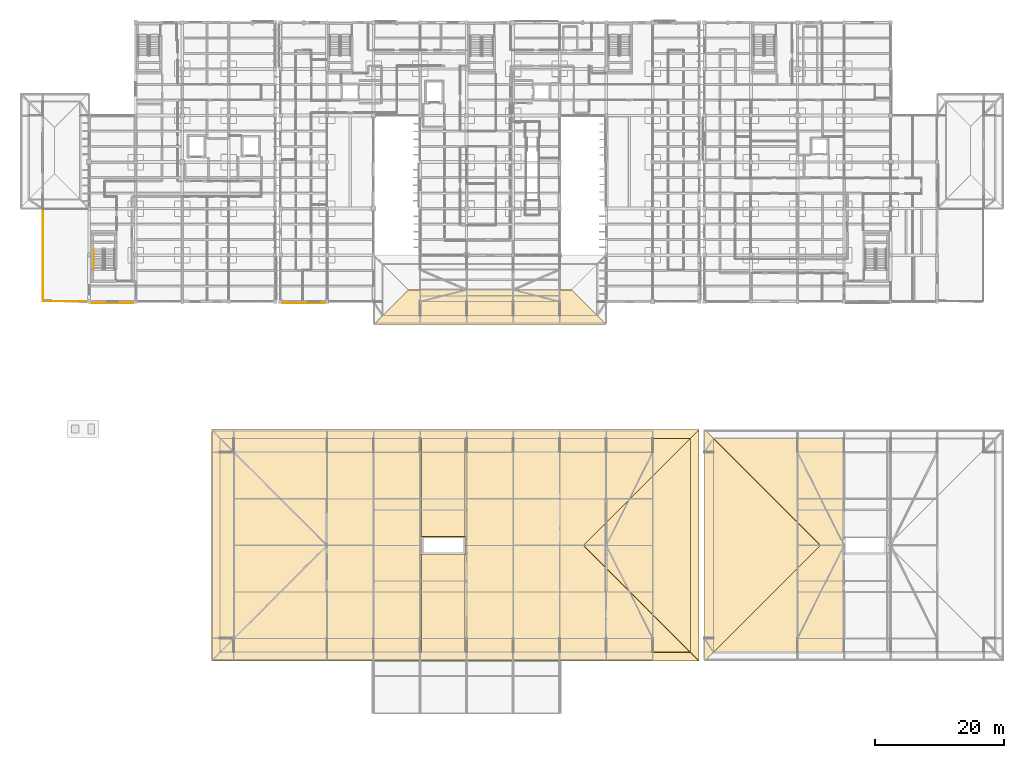
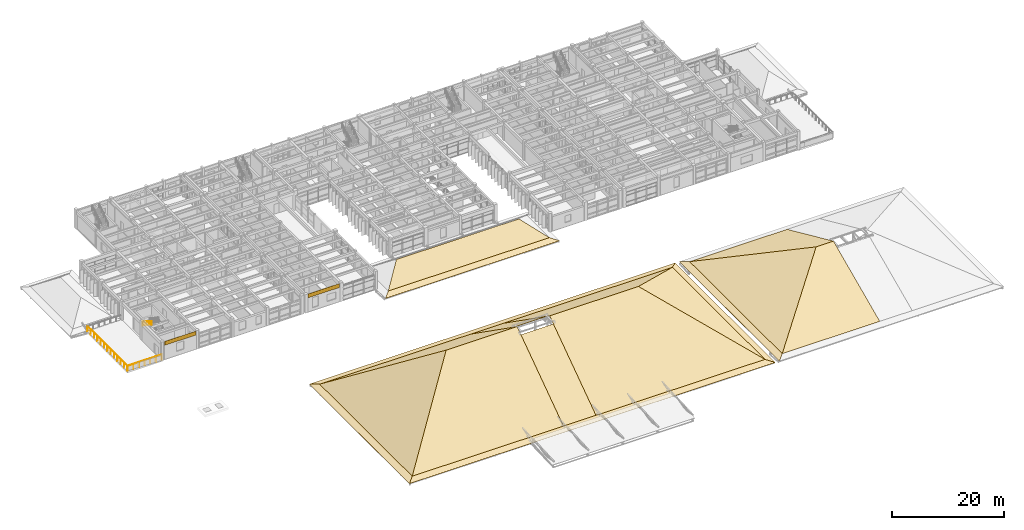
# One storey, part 91 of 100: 20 coverings, 3 railings.
"""IFC4 building model written with IfcOpenShell, lengths in metres."""

from ifc_helpers import new_model, si_unit, direction, frame, origin, origin_2d, place, context, subcontext, project, spatial, polyline, rectangle, circle, outline, extrude, material, layer, layer_set, type_object, element, save


model = new_model("IFC4")

# Units and contexts
model_context = context("Model", 3, precision=1e-05, world=origin(), true_north=direction((0.0, 1.0)))
body_context = subcontext(model_context, "Body", "Model", "MODEL_VIEW")
ifc_project = project(units=[si_unit("LENGTHUNIT", "METRE"), si_unit("AREAUNIT", "SQUARE_METRE"), si_unit("VOLUMEUNIT", "CUBIC_METRE"), si_unit("PLANEANGLEUNIT", "RADIAN"), si_unit("MASSUNIT", "GRAM", prefix="KILO")], contexts=[model_context])

# Site, building, storey
site_placement = place(None, origin())
site = spatial("IfcSite", under=ifc_project, at=site_placement, CompositionType="ELEMENT")
building_placement = place(site_placement, origin())
building = spatial("IfcBuilding", under=site, at=building_placement, Name="Steenspoor Specialist Clinic", CompositionType="ELEMENT")
storey_placement = place(building_placement, frame((0.0, 0.0, 9.0)))
storey = spatial("IfcBuildingStorey", under=building, at=storey_placement, Name="L02", CompositionType="ELEMENT", Elevation=9.0)

# Coverings
ifc_material_1 = material(Name="Glazed ceramic relief spandrel cladding", Category="masonry")
ifc_layer_1 = layer(ifc_material_1, 0.034912109375)
ifc_layer_set_1 = layer_set([ifc_layer_1], Name="Glazed ceramic relief spandrel cladding")
covering_type_1 = type_object("IfcCoveringType", Name="COV-CLAD-CERAMIC", PredefinedType="CLADDING", material=ifc_layer_set_1)
covering_1_placement = place(storey_placement, frame((56.0, 64.93505859375, 3.11474609375), z_axis=(0.0, 0.0, 1.0), x_axis=(-1.0, 0.0, 0.0)))
element("IfcCovering", 1, at=covering_1_placement, inside=storey, type_object=covering_type_1, Name="Spandrel Cladding 47", PredefinedType="CLADDING", context=body_context, shape_type="SweptSolid", body=[
    extrude(rectangle(XDim=6.47998046875, YDim=0.0400390625, at=origin_2d()), origin(), (0.0, 0.0, 1.0), 0.840087890625),
])
covering_2_placement = place(storey_placement, frame((26.41259765625, 64.93505859375, 3.11474609375), z_axis=(0.0, 0.0, 1.0), x_axis=(-1.0, 0.0, 0.0)))
element("IfcCovering", 2, at=covering_2_placement, inside=storey, type_object=covering_type_1, Name="Spandrel Cladding 73", PredefinedType="CLADDING", context=body_context, shape_type="SweptSolid", body=[
    extrude(rectangle(XDim=6.455078125, YDim=0.0400390625, at=origin_2d()), origin(), (0.0, 0.0, 1.0), 0.840087890625),
])
ifc_material_2 = material(Name="Extruded terracotta clay roof tile", Category="masonry")
ifc_layer_2 = layer(ifc_material_2, 0.044921875)
ifc_layer_set_2 = layer_set([ifc_layer_2], Name="Extruded terracotta clay roof tile")
covering_type_2 = type_object("IfcCoveringType", Name="COV-ROOF-TILE", PredefinedType="ROOFING", material=ifc_layer_set_2)
covering_3_placement = place(storey_placement, frame((41.699951171875, 9.550048828125, 0.048095703125), z_axis=(0.0, -0.241833577284, 0.970317742236), x_axis=(1.0, 0.0, 0.0)))
element("IfcCovering", 3, at=covering_3_placement, inside=storey, type_object=covering_type_2, Name="Clay Tile Roofing V1 SKS", PredefinedType="ROOFING", context=body_context, shape_type="SweptSolid", body=[
    extrude(outline(polyline([(0.0, 0.0), (75.469970703125, 0.0), (74.1201171875, 1.3911458658008673), (1.35009765625, 1.3911458658008673), (0.0, 0.0)])), origin(), (0.0, 0.0, -1.0), 0.044921875),
])
covering_4_placement = place(storey_placement, frame((117.169921875, 45.35009765625, 0.048095703125), z_axis=(0.0, 0.241792402976, 0.970328003235), x_axis=(-1.0, 0.0, 0.0)))
element("IfcCovering", 4, at=covering_4_placement, inside=storey, type_object=covering_type_2, Name="Clay Tile Roofing V1 SKN", PredefinedType="ROOFING", context=body_context, shape_type="SweptSolid", body=[
    extrude(outline(polyline([(0.0, 0.0), (75.469970703125, 0.0), (74.119873046875, 1.3913827610335756), (1.349853515625, 1.3913827610335756), (0.0, 0.0)])), origin(), (0.0, 0.0, -1.0), 0.044921875),
])
covering_5_placement = place(storey_placement, frame((41.699951171875, 45.35009765625, 0.048095703125), z_axis=(-0.241792402976, 0.0, 0.970328003235), x_axis=(0.0, -1.0, 0.0)))
element("IfcCovering", 5, at=covering_5_placement, inside=storey, type_object=covering_type_2, Name="Clay Tile Roofing V1 SKW", PredefinedType="ROOFING", context=body_context, shape_type="SweptSolid", body=[
    extrude(outline(polyline([(0.0, 0.0), (35.800048828125, 0.0), (34.4501953125, 1.3913827610335754), (1.35009765625, 1.3913827610335754), (0.0, 0.0)])), origin(), (0.0, 0.0, -1.0), 0.044921875),
])
covering_6_placement = place(storey_placement, frame((117.169921875, 9.550048828125, 0.048095703125), z_axis=(0.241833577284, 0.0, 0.970317742236), x_axis=(0.0, 1.0, 0.0)))
element("IfcCovering", 6, at=covering_6_placement, inside=storey, type_object=covering_type_2, Name="Clay Tile Roofing V1 SKE", PredefinedType="ROOFING", context=body_context, shape_type="SweptSolid", body=[
    extrude(outline(polyline([(0.0, 0.0), (35.800048828125, 0.0), (34.449951171875, 1.3911458658008673), (1.349853515625, 1.3911458658008673), (0.0, 0.0)])), origin(), (0.0, 0.0, -1.0), 0.044921875),
])
covering_7_placement = place(storey_placement, frame((74.25, 10.89990234375, 0.384521484375), z_axis=(0.0, -0.576062861672, 0.817405394772), x_axis=(0.0, 0.817405394772, 0.576062861672)))
element("IfcCovering", 7, at=covering_7_placement, inside=storey, type_object=covering_type_2, Name="Clay Tile Roofing V1 S1", PredefinedType="ROOFING", context=body_context, shape_type="SweptSolid", body=[
    extrude(outline(polyline([(0.0, 0.0), (20.247051137625235, 0.0), (20.247051137625235, 14.64990234375), (0.0, 31.199951171875), (0.0, 0.0)])), origin(), (0.0, 0.0, -1.0), 0.044921875),
])
covering_8_placement = place(storey_placement, frame((80.949951171875, 27.449951171875, 12.048095703125), z_axis=(0.0, -0.576062861672, 0.817405394772), x_axis=(0.0, -0.817405394772, -0.576062861672)))
element("IfcCovering", 8, at=covering_8_placement, inside=storey, type_object=covering_type_2, Name="Clay Tile Roofing V1 S2", PredefinedType="ROOFING", context=body_context, shape_type="SweptSolid", body=[
    extrude(outline(polyline([(0.0, 0.0), (20.247051137625235, 0.0), (20.247051137625235, 34.8701171875), (0.0, 18.320068359375), (0.0, 0.0)])), origin(), (0.0, 0.0, -1.0), 0.044921875),
])
covering_9_placement = place(storey_placement, frame((80.949951171875, 10.89990234375, 0.384521484375), z_axis=(0.0, -0.57605881302, 0.817408248026), x_axis=(0.0, 0.817408248026, 0.57605881302)))
element("IfcCovering", 9, at=covering_9_placement, inside=storey, type_object=covering_type_2, Name="Clay Tile Roofing V1 S3", PredefinedType="ROOFING", context=body_context, shape_type="SweptSolid", body=[
    extrude(outline(polyline([(0.0, 0.0), (18.595598159428086, 0.0), (18.595598159428086, 6.699951171874999), (0.0, 6.699951171874999), (0.0, 0.0)])), origin(), (0.0, 0.0, -1.0), 0.044921875),
])
covering_10_placement = place(storey_placement, frame((74.25, 27.449951171875, 12.048095703125), z_axis=(0.0, 0.576062861672, 0.817405394772), x_axis=(0.0, 0.817405394772, -0.576062861672)))
element("IfcCovering", 10, at=covering_10_placement, inside=storey, type_object=covering_type_2, Name="Clay Tile Roofing V1 N1", PredefinedType="ROOFING", context=body_context, shape_type="SweptSolid", body=[
    extrude(outline(polyline([(0.0, 0.0), (20.247051137625235, 0.0), (20.247051137625235, 31.199951171875), (0.0, 14.64990234375), (0.0, 0.0)])), origin(), (0.0, 0.0, -1.0), 0.044921875),
])
covering_11_placement = place(storey_placement, frame((80.949951171875, 44.0, 0.384521484375), z_axis=(0.0, 0.576062861672, 0.817405394772), x_axis=(0.0, -0.817405394772, 0.576062861672)))
element("IfcCovering", 11, at=covering_11_placement, inside=storey, type_object=covering_type_2, Name="Clay Tile Roofing V1 N2", PredefinedType="ROOFING", context=body_context, shape_type="SweptSolid", body=[
    extrude(outline(polyline([(0.0, 0.0), (20.247051137625235, 0.0), (20.247051137625235, 18.320068359375), (0.0, 34.8701171875), (0.0, 0.0)])), origin(), (0.0, 0.0, -1.0), 0.044921875),
])
covering_12_placement = place(storey_placement, frame((74.25, 44.0, 0.384521484375), z_axis=(0.0, 0.576064995166, 0.817403891197), x_axis=(0.0, -0.817403891197, 0.576064995166)))
element("IfcCovering", 12, at=covering_12_placement, inside=storey, type_object=covering_type_2, Name="Clay Tile Roofing V1 N3", PredefinedType="ROOFING", context=body_context, shape_type="SweptSolid", body=[
    extrude(outline(polyline([(0.0, 0.0), (18.59539859739937, 0.0), (18.59539859739937, 6.699951171875002), (0.0, 6.699951171875002), (0.0, 0.0)])), origin(), (0.0, 0.0, -1.0), 0.044921875),
])
for number, where, z_axis, x_axis, name in (
    (13, (43.050048828125, 44.0, 0.384521484375), (-0.576062861672, 0.0, 0.817405394772), (0.0, -1.0, 0.0), "Clay Tile Roofing V1 W"),
    (14, (115.820068359375, 10.89990234375, 0.384521484375), (0.576062861672, 0.0, 0.817405394772), (0.0, 1.0, 0.0), "Clay Tile Roofing V1 E"),
):
    element("IfcCovering", number, at=place(storey_placement, frame(where, z_axis=z_axis, x_axis=x_axis)), inside=storey, type_object=covering_type_2, Name=name, PredefinedType="ROOFING", context=body_context, shape_type="SweptSolid", body=[
        extrude(outline(polyline([(0.0, 0.0), (33.10009765625, 0.0), (16.550048828125, 20.247051137625235), (0.0, 0.0)])), origin(), (0.0, 0.0, -1.0), 0.044921875),
    ])
covering_13_placement = place(storey_placement, frame((118.030029296875, 45.35009765625, 0.048095703125), z_axis=(-0.241833577284, 0.0, 0.970317742236), x_axis=(0.0, -1.0, 0.0)))
element("IfcCovering", 15, at=covering_13_placement, inside=storey, type_object=covering_type_2, Name="Clay Tile Roofing V2 SKW", PredefinedType="ROOFING", context=body_context, shape_type="SweptSolid", body=[
    extrude(outline(polyline([(0.0, 0.0), (35.800048828125, 0.0), (34.4501953125, 1.3911458658008673), (1.35009765625, 1.3911458658008673), (0.0, 0.0)])), origin(), (0.0, 0.0, -1.0), 0.044921875),
])
covering_14_placement = place(storey_placement, frame((139.5, 10.89990234375, 0.384521484375), z_axis=(0.0, -0.411090881332, 0.911594365541), x_axis=(0.0, 0.911594365541, 0.411090881332)))
element("IfcCovering", 16, at=covering_14_placement, inside=storey, type_object=covering_type_2, Name="Clay Tile Roofing V2 S1", PredefinedType="ROOFING", context=body_context, shape_type="SweptSolid", body=[
    extrude(outline(polyline([(0.0, 0.0), (18.15505827342835, 0.0), (18.15505827342835, 3.570068359375), (0.0, 20.1201171875), (0.0, 0.0)])), origin(), (0.0, 0.0, -1.0), 0.044921875),
])
covering_15_placement = place(storey_placement, frame((139.5, 27.449951171875, 7.847900390625), z_axis=(0.0, 0.411090881332, 0.911594365541), x_axis=(0.0, 0.911594365541, -0.411090881332)))
element("IfcCovering", 17, at=covering_15_placement, inside=storey, type_object=covering_type_2, Name="Clay Tile Roofing V2 N1", PredefinedType="ROOFING", context=body_context, shape_type="SweptSolid", body=[
    extrude(outline(polyline([(0.0, 0.0), (18.15505827342835, 0.0), (18.15505827342835, 20.1201171875), (0.0, 3.570068359375), (0.0, 0.0)])), origin(), (0.0, 0.0, -1.0), 0.044921875),
])
covering_16_placement = place(storey_placement, frame((119.3798828125, 44.0, 0.384521484375), z_axis=(-0.411090881332, 0.0, 0.911594365541), x_axis=(0.0, -1.0, 0.0)))
element("IfcCovering", 18, at=covering_16_placement, inside=storey, type_object=covering_type_2, Name="Clay Tile Roofing V2 W", PredefinedType="ROOFING", context=body_context, shape_type="SweptSolid", body=[
    extrude(outline(polyline([(0.0, 0.0), (33.10009765625, 0.0), (16.550048828125, 18.15505827342835), (0.0, 0.0)])), origin(), (0.0, 0.0, -1.0), 0.044921875),
])
covering_17_placement = place(storey_placement, frame((66.830078125, 61.64990234375, 0.048095703125), z_axis=(0.0, -0.241792402976, 0.970328003235), x_axis=(1.0, 0.0, 0.0)))
element("IfcCovering", 19, at=covering_17_placement, inside=storey, type_object=covering_type_2, Name="Clay Tile Roofing V4T1 SKS", PredefinedType="ROOFING", context=body_context, shape_type="SweptSolid", body=[
    extrude(outline(polyline([(0.0, 0.0), (35.93994140625, 0.0), (34.58984375, 1.3913827610335756), (1.349853515625, 1.3913827610335756), (0.0, 0.0)])), origin(), (0.0, 0.0, -1.0), 0.044921875),
])
covering_18_placement = place(storey_placement, frame((68.179931640625, 63.0, 0.384521484375), z_axis=(0.0, -0.609461920138, 0.792815342877), x_axis=(1.0, 0.0, 0.0)))
element("IfcCovering", 20, at=covering_18_placement, inside=storey, type_object=covering_type_2, Name="Clay Tile Roofing V4T1 S", PredefinedType="ROOFING", context=body_context, shape_type="SweptSolid", body=[
    extrude(outline(polyline([(0.0, 0.0), (33.239990234375, 0.0), (29.255126953125, 5.02652661515584), (3.985107421875, 5.02652661515584), (0.0, 0.0)])), origin(), (0.0, 0.0, -1.0), 0.044921875),
])

# Railings
ifc_material_3 = material(Name="Galvanised architectural steel exterior guard", Category="steel")
railing_type_1 = type_object("IfcRailingType", Name="RAIL-EGUARD-1100", PredefinedType="GUARDRAIL", material=ifc_material_3)
railing_1_placement = place(storey_placement, frame((15.659912109375, 65.2099609375, 0.0)))
element("IfcRailing", 21, at=railing_1_placement, inside=storey, type_object=railing_type_1, Name="Terrace Perimeter Guard 16", PredefinedType="GUARDRAIL", context=body_context, shape_type="SweptSolid", body=[
    extrude(circle(Radius=0.02392578125, at=origin_2d()), frame((0.0, 0.0, 1.09619140625), z_axis=(1.0, 0.0, 0.0), x_axis=(0.0, 1.0, 0.0)), (0.0, 0.0, 1.0), 7.080078125),
    extrude(circle(Radius=0.02099609375, at=origin_2d()), origin(), (0.0, 0.0, 1.0), 1.072021484375),
    extrude(circle(Radius=0.02099609375, at=origin_2d()), frame((1.179931640625, 0.0, 0.0)), (0.0, 0.0, 1.0), 1.072021484375),
    extrude(circle(Radius=0.02099609375, at=origin_2d()), frame((2.360107421875, 0.0, 0.0)), (0.0, 0.0, 1.0), 1.072021484375),
    extrude(circle(Radius=0.02099609375, at=origin_2d()), frame((3.5400390625, 0.0, 0.0)), (0.0, 0.0, 1.0), 1.072021484375),
    extrude(circle(Radius=0.02099609375, at=origin_2d()), frame((4.719970703125, 0.0, 0.0)), (0.0, 0.0, 1.0), 1.072021484375),
    extrude(circle(Radius=0.02099609375, at=origin_2d()), frame((5.900146484375, 0.0, 0.0)), (0.0, 0.0, 1.0), 1.072021484375),
    extrude(circle(Radius=0.02099609375, at=origin_2d()), frame((7.080078125, 0.0, 0.0)), (0.0, 0.0, 1.0), 1.072021484375),
])
railing_2_placement = place(storey_placement, frame((15.659912109375, 79.489990234375, 0.0)))
element("IfcRailing", 22, at=railing_2_placement, inside=storey, type_object=railing_type_1, Name="Terrace Perimeter Guard 18", PredefinedType="GUARDRAIL", context=body_context, shape_type="SweptSolid", body=[
    extrude(circle(Radius=0.02392578125, at=origin_2d()), frame((0.0, 0.0, 1.09619140625), z_axis=(0.0, -1.0, 0.0), x_axis=(1.0, 0.0, 0.0)), (0.0, 0.0, 1.0), 14.280029296875),
    extrude(circle(Radius=0.02099609375, at=origin_2d()), origin(), (0.0, 0.0, 1.0), 1.072021484375),
    extrude(circle(Radius=0.02099609375, at=origin_2d()), frame((0.0, -1.18994140625, 0.0)), (0.0, 0.0, 1.0), 1.072021484375),
    extrude(circle(Radius=0.02099609375, at=origin_2d()), frame((0.0, -2.3798828125, 0.0)), (0.0, 0.0, 1.0), 1.072021484375),
    extrude(circle(Radius=0.02099609375, at=origin_2d()), frame((0.0, -3.570068359375, 0.0)), (0.0, 0.0, 1.0), 1.072021484375),
    extrude(circle(Radius=0.02099609375, at=origin_2d()), frame((0.0, -4.760009765625, 0.0)), (0.0, 0.0, 1.0), 1.072021484375),
    extrude(circle(Radius=0.02099609375, at=origin_2d()), frame((0.0, -5.949951171875, 0.0)), (0.0, 0.0, 1.0), 1.072021484375),
    extrude(circle(Radius=0.02099609375, at=origin_2d()), frame((0.0, -7.14013671875, 0.0)), (0.0, 0.0, 1.0), 1.072021484375),
    extrude(circle(Radius=0.02099609375, at=origin_2d()), frame((0.0, -8.330078125, 0.0)), (0.0, 0.0, 1.0), 1.072021484375),
    extrude(circle(Radius=0.02099609375, at=origin_2d()), frame((0.0, -9.52001953125, 0.0)), (0.0, 0.0, 1.0), 1.072021484375),
    extrude(circle(Radius=0.02099609375, at=origin_2d()), frame((0.0, -10.7099609375, 0.0)), (0.0, 0.0, 1.0), 1.072021484375),
    extrude(circle(Radius=0.02099609375, at=origin_2d()), frame((0.0, -11.89990234375, 0.0)), (0.0, 0.0, 1.0), 1.072021484375),
    extrude(circle(Radius=0.02099609375, at=origin_2d()), frame((0.0, -13.090087890625, 0.0)), (0.0, 0.0, 1.0), 1.072021484375),
    extrude(circle(Radius=0.02099609375, at=origin_2d()), frame((0.0, -14.280029296875, 0.0)), (0.0, 0.0, 1.0), 1.072021484375),
])
ifc_material_4 = material(Name="Brushed stainless steel clinical handrail", Category="steel")
railing_type_2 = type_object("IfcRailingType", Name="RAIL-HAND-900", PredefinedType="HANDRAIL", material=ifc_material_4)
railing_3_placement = place(storey_placement, frame((23.5, 73.284912109375, 2.27490234375)))
element("IfcRailing", 23, at=railing_3_placement, inside=storey, type_object=railing_type_2, Name="L02 ST-V5B stair handrail 2", PredefinedType="HANDRAIL", context=body_context, shape_type="SweptSolid", body=[
    extrude(circle(Radius=0.02392578125, at=origin_2d()), frame((0.0, 0.0, 0.8759765625), z_axis=(0.0, -0.852166034122, 0.523271488128), x_axis=(1.0, 0.0, 0.0)), (0.0, 0.0, 1.0), 3.678955078125),
    extrude(circle(Radius=0.02099609375, at=origin_2d()), origin(), (0.0, 0.0, 1.0), 0.851806640625),
    extrude(circle(Radius=0.02099609375, at=origin_2d()), frame((0.0, -0.78369140625, 0.481201171875)), (0.0, 0.0, 1.0), 0.851806640625),
    extrude(circle(Radius=0.02099609375, at=origin_2d()), frame((0.0, -1.5673828125, 0.96240234375)), (0.0, 0.0, 1.0), 0.851806640625),
    extrude(circle(Radius=0.02099609375, at=origin_2d()), frame((0.0, -2.351318359375, 1.44384765625)), (0.0, 0.0, 1.0), 0.851806640625),
    extrude(circle(Radius=0.02099609375, at=origin_2d()), frame((0.0, -3.135009765625, 1.925048828125)), (0.0, 0.0, 1.0), 0.851806640625),
])

save(model, "model.ifc")
